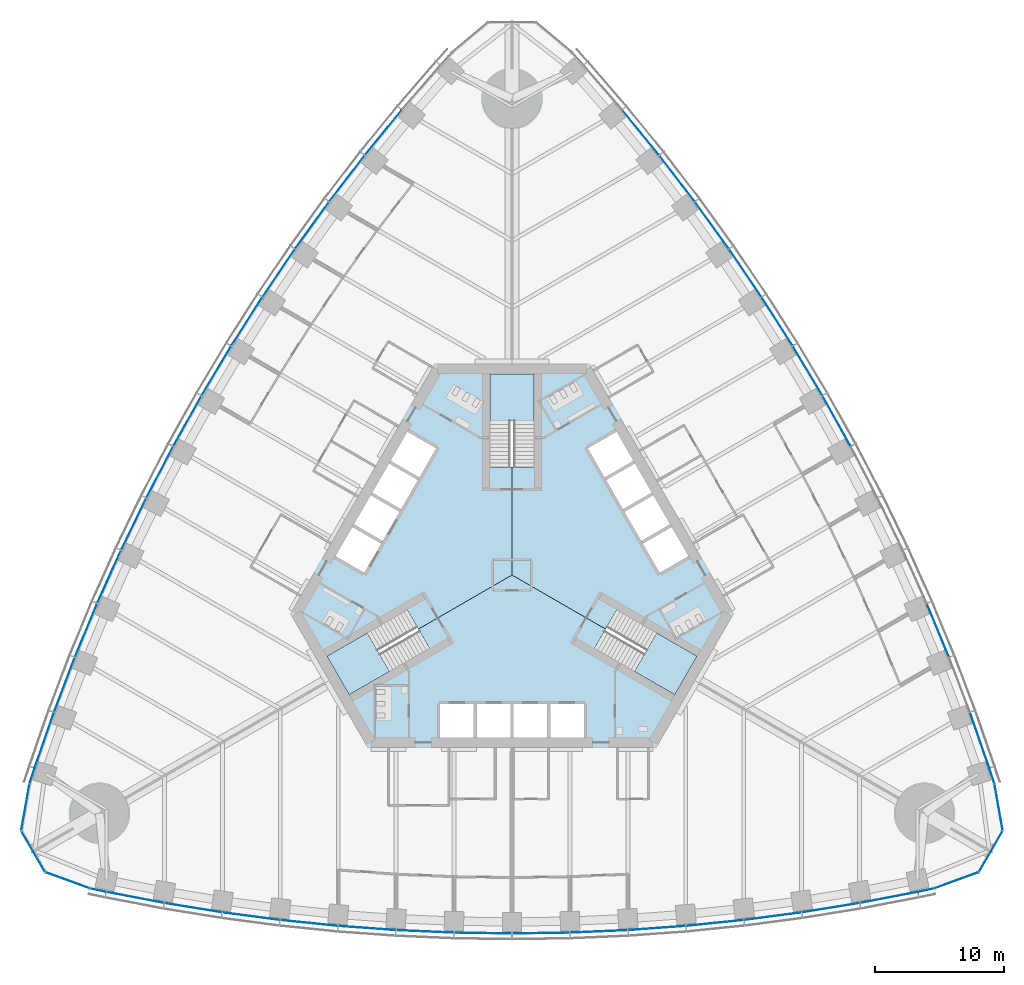
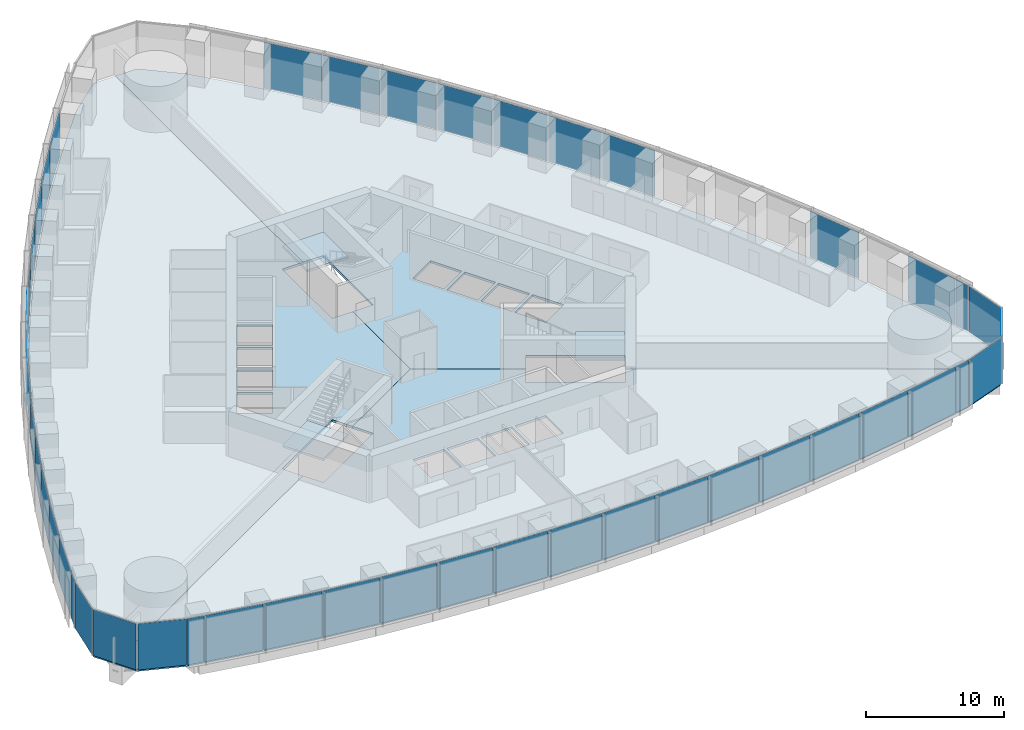
# One storey, part 8 of 18: 46 plates, 6 slabs, 8 elements without a shape of their own.
"""IFC4 building model written with IfcOpenShell, lengths in metres."""

from ifc_helpers import new_model, si_unit, direction, frame, origin, origin_2d, place, context, subcontext, project, spatial, polyline, rectangle, outline, extrude, material, layer, layer_set, type_object, element, aggregate, save


model = new_model("IFC4")

# Units and contexts
model_context = context("Model", 3, precision=1e-05, world=origin(), true_north=direction((0.0, 1.0)))
body_context = subcontext(model_context, "Body", "Model", "MODEL_VIEW")
ifc_project = project(units=[si_unit("LENGTHUNIT", "METRE"), si_unit("AREAUNIT", "SQUARE_METRE"), si_unit("VOLUMEUNIT", "CUBIC_METRE"), si_unit("PLANEANGLEUNIT", "RADIAN"), si_unit("MASSUNIT", "GRAM", prefix="KILO")], contexts=[model_context])

# Site, building, storey
site_placement = place(None, origin())
site = spatial("IfcSite", under=ifc_project, at=site_placement, CompositionType="ELEMENT")
building_placement = place(site_placement, origin())
building = spatial("IfcBuilding", under=site, at=building_placement, Name="Trefoil Bronze Tower", CompositionType="ELEMENT")
storey_placement = place(building_placement, frame((0.0, 0.0, 29.10009765625)))
storey = spatial("IfcBuildingStorey", under=building, at=storey_placement, Name="L06", CompositionType="ELEMENT", Elevation=29.10009765625)

# Curtain wall, plates
ifc_material_1 = material(Name="Tinted solar-control glass", Category="glass")
curtain_wall_type_1 = type_object("IfcCurtainWallType", Name="Bronze office curtain wall", PredefinedType="USERDEFINED", material=ifc_material_1)
curtain_wall_1_placement = place(storey_placement, origin())
curtain_wall_1 = element("IfcCurtainWall", 1, at=curtain_wall_1_placement, inside=storey, type_object=curtain_wall_type_1, Name="CW-A L06 F1", ObjectType="CURTAIN WALL", PredefinedType="USERDEFINED")
ifc_material_2 = material(Name="Tinted solar-control glass", Category="glass")
ifc_layer_1 = layer(ifc_material_2, 0.030029296875)
ifc_layer_set_1 = layer_set([ifc_layer_1], Name="Bronze office curtain wall glass panel")
plate_type_1 = type_object("IfcPlateType", Name="Bronze office curtain wall glass panel", PredefinedType="CURTAIN_PANEL", material=ifc_layer_set_1)
plate_1_placement = place(storey_placement, frame((-32.15185546875, -24.480224609375, -0.000244140625), z_axis=(0.0, 0.0, 1.0), x_axis=(0.978302717041, -0.207180582657, 0.0)))
plate_1 = element("IfcPlate", 2, at=plate_1_placement, type_object=plate_type_1, Name="CW-A L06 F1 panel 1", PredefinedType="CURTAIN_PANEL", context=body_context, shape_type="SweptSolid", body=[
    extrude(rectangle(XDim=1.21044921875, YDim=0.030029296875, at=origin_2d()), origin(), (0.0, 0.0, 1.0), 4.080078125),
])
plate_2_placement = place(storey_placement, frame((-29.268798828125, -25.04638671875, -0.000244140625), z_axis=(0.0, 0.0, 1.0), x_axis=(0.982049823817, -0.188621694249, 0.0)))
plate_2 = element("IfcPlate", 3, at=plate_2_placement, type_object=plate_type_1, Name="CW-A L06 F1 panel 2", PredefinedType="CURTAIN_PANEL", context=body_context, shape_type="SweptSolid", body=[
    extrude(rectangle(XDim=4.502197265625, YDim=0.030029296875, at=origin_2d()), origin(), (0.0, 0.0, 1.0), 4.080078125),
])
plate_3_placement = place(storey_placement, frame((-24.765869140625, -25.8427734375, -0.000244140625), z_axis=(0.0, 0.0, 1.0), x_axis=(0.987181315145, -0.159602791421, 0.0)))
plate_3 = element("IfcPlate", 4, at=plate_3_placement, type_object=plate_type_1, Name="CW-A L06 F1 panel 3", PredefinedType="CURTAIN_PANEL", context=body_context, shape_type="SweptSolid", body=[
    extrude(rectangle(XDim=4.478515625, YDim=0.030029296875, at=origin_2d()), origin(), (0.0, 0.0, 1.0), 4.080078125),
])
plate_4_placement = place(storey_placement, frame((-20.262939453125, -26.50341796875, -0.000244140625), z_axis=(0.0, 0.0, 1.0), x_axis=(0.991437251591, -0.130583981243, 0.0)))
plate_4 = element("IfcPlate", 5, at=plate_4_placement, type_object=plate_type_1, Name="CW-A L06 F1 panel 4", PredefinedType="CURTAIN_PANEL", context=body_context, shape_type="SweptSolid", body=[
    extrude(rectangle(XDim=4.458984375, YDim=0.030029296875, at=origin_2d()), origin(), (0.0, 0.0, 1.0), 4.080078125),
])
plate_5_placement = place(storey_placement, frame((-15.76025390625, -27.02978515625, -0.000244140625), z_axis=(0.0, 0.0, 1.0), x_axis=(0.994828880293, -0.101565244717, 0.0)))
plate_5 = element("IfcPlate", 6, at=plate_5_placement, type_object=plate_type_1, Name="CW-A L06 F1 panel 5", PredefinedType="CURTAIN_PANEL", context=body_context, shape_type="SweptSolid", body=[
    extrude(rectangle(XDim=4.443359375, YDim=0.030029296875, at=origin_2d()), origin(), (0.0, 0.0, 1.0), 4.080078125),
])
plate_6_placement = place(storey_placement, frame((-11.25732421875, -27.42333984375, -0.000244140625), z_axis=(0.0, 0.0, 1.0), x_axis=(0.99736502647, -0.072546564177, 0.0)))
plate_6 = element("IfcPlate", 7, at=plate_6_placement, type_object=plate_type_1, Name="CW-A L06 F1 panel 6", PredefinedType="CURTAIN_PANEL", context=body_context, shape_type="SweptSolid", body=[
    extrude(rectangle(XDim=4.431884765625, YDim=0.030029296875, at=origin_2d()), origin(), (0.0, 0.0, 1.0), 4.080078125),
])
plate_7_placement = place(storey_placement, frame((-6.75439453125, -27.685302734375, -0.000244140625), z_axis=(0.0, 0.0, 1.0), x_axis=(0.999052210809, -0.043527922969, 0.0)))
plate_7 = element("IfcPlate", 8, at=plate_7_placement, type_object=plate_type_1, Name="CW-A L06 F1 panel 7", PredefinedType="CURTAIN_PANEL", context=body_context, shape_type="SweptSolid", body=[
    extrude(rectangle(XDim=4.42431640625, YDim=0.030029296875, at=origin_2d()), origin(), (0.0, 0.0, 1.0), 4.080078125),
])
plate_8_placement = place(storey_placement, frame((-2.25146484375, -27.816162109375, -0.000244140625), z_axis=(0.0, 0.0, 1.0), x_axis=(0.999894734493, -0.014509305083, 0.0)))
plate_8 = element("IfcPlate", 9, at=plate_8_placement, type_object=plate_type_1, Name="CW-A L06 F1 panel 8", PredefinedType="CURTAIN_PANEL", context=body_context, shape_type="SweptSolid", body=[
    extrude(rectangle(XDim=4.42041015625, YDim=0.030029296875, at=origin_2d()), origin(), (0.0, 0.0, 1.0), 4.080078125),
])
plate_9_placement = place(storey_placement, frame((2.25146484375, -27.816162109375, -0.000244140625), z_axis=(0.0, 0.0, 1.0), x_axis=(0.999894734493, 0.014509305083, 0.0)))
plate_9 = element("IfcPlate", 10, at=plate_9_placement, type_object=plate_type_1, Name="CW-A L06 F1 panel 9", PredefinedType="CURTAIN_PANEL", context=body_context, shape_type="SweptSolid", body=[
    extrude(rectangle(XDim=4.42041015625, YDim=0.030029296875, at=origin_2d()), origin(), (0.0, 0.0, 1.0), 4.080078125),
])
plate_10_placement = place(storey_placement, frame((6.75439453125, -27.685302734375, -0.000244140625), z_axis=(0.0, 0.0, 1.0), x_axis=(0.999052210809, 0.043527922969, 0.0)))
plate_10 = element("IfcPlate", 11, at=plate_10_placement, type_object=plate_type_1, Name="CW-A L06 F1 panel 10", PredefinedType="CURTAIN_PANEL", context=body_context, shape_type="SweptSolid", body=[
    extrude(rectangle(XDim=4.42431640625, YDim=0.030029296875, at=origin_2d()), origin(), (0.0, 0.0, 1.0), 4.080078125),
])
plate_11_placement = place(storey_placement, frame((11.25732421875, -27.42333984375, -0.000244140625), z_axis=(0.0, 0.0, 1.0), x_axis=(0.99736502647, 0.072546564177, 0.0)))
plate_11 = element("IfcPlate", 12, at=plate_11_placement, type_object=plate_type_1, Name="CW-A L06 F1 panel 11", PredefinedType="CURTAIN_PANEL", context=body_context, shape_type="SweptSolid", body=[
    extrude(rectangle(XDim=4.431884765625, YDim=0.030029296875, at=origin_2d()), origin(), (0.0, 0.0, 1.0), 4.080078125),
])
plate_12_placement = place(storey_placement, frame((15.76025390625, -27.02978515625, -0.000244140625), z_axis=(0.0, 0.0, 1.0), x_axis=(0.994828880293, 0.101565244717, 0.0)))
plate_12 = element("IfcPlate", 13, at=plate_12_placement, type_object=plate_type_1, Name="CW-A L06 F1 panel 12", PredefinedType="CURTAIN_PANEL", context=body_context, shape_type="SweptSolid", body=[
    extrude(rectangle(XDim=4.443359375, YDim=0.030029296875, at=origin_2d()), origin(), (0.0, 0.0, 1.0), 4.080078125),
])
plate_13_placement = place(storey_placement, frame((20.262939453125, -26.50341796875, -0.000244140625), z_axis=(0.0, 0.0, 1.0), x_axis=(0.991437251591, 0.130583981243, 0.0)))
plate_13 = element("IfcPlate", 14, at=plate_13_placement, type_object=plate_type_1, Name="CW-A L06 F1 panel 13", PredefinedType="CURTAIN_PANEL", context=body_context, shape_type="SweptSolid", body=[
    extrude(rectangle(XDim=4.458984375, YDim=0.030029296875, at=origin_2d()), origin(), (0.0, 0.0, 1.0), 4.080078125),
])
plate_14_placement = place(storey_placement, frame((24.765869140625, -25.8427734375, -0.000244140625), z_axis=(0.0, 0.0, 1.0), x_axis=(0.987181315145, 0.159602791421, 0.0)))
plate_14 = element("IfcPlate", 15, at=plate_14_placement, type_object=plate_type_1, Name="CW-A L06 F1 panel 14", PredefinedType="CURTAIN_PANEL", context=body_context, shape_type="SweptSolid", body=[
    extrude(rectangle(XDim=4.478515625, YDim=0.030029296875, at=origin_2d()), origin(), (0.0, 0.0, 1.0), 4.080078125),
])
plate_15_placement = place(storey_placement, frame((29.268798828125, -25.04638671875, -0.000244140625), z_axis=(0.0, 0.0, 1.0), x_axis=(0.982049823817, 0.188621694249, 0.0)))
plate_15 = element("IfcPlate", 16, at=plate_15_placement, type_object=plate_type_1, Name="CW-A L06 F1 panel 15", PredefinedType="CURTAIN_PANEL", context=body_context, shape_type="SweptSolid", body=[
    extrude(rectangle(XDim=4.502197265625, YDim=0.030029296875, at=origin_2d()), origin(), (0.0, 0.0, 1.0), 4.080078125),
])
plate_16_placement = place(storey_placement, frame((32.15185546875, -24.480224609375, -0.000244140625), z_axis=(0.0, 0.0, 1.0), x_axis=(0.978302717041, 0.207180582657, 0.0)))
plate_16 = element("IfcPlate", 17, at=plate_16_placement, type_object=plate_type_1, Name="CW-A L06 F1 panel 16", PredefinedType="CURTAIN_PANEL", context=body_context, shape_type="SweptSolid", body=[
    extrude(rectangle(XDim=1.21044921875, YDim=0.030029296875, at=origin_2d()), origin(), (0.0, 0.0, 1.0), 4.080078125),
])
aggregate(curtain_wall_1, [plate_1, plate_2, plate_3, plate_4, plate_5, plate_6, plate_7, plate_8, plate_9, plate_10, plate_11, plate_12, plate_13, plate_14, plate_15, plate_16])

curtain_wall_2_placement = place(storey_placement, origin())
curtain_wall_2 = element("IfcCurtainWall", 18, at=curtain_wall_2_placement, inside=storey, type_object=curtain_wall_type_1, Name="CW-A L06 F2", ObjectType="CURTAIN WALL", PredefinedType="USERDEFINED")
plate_17_placement = place(storey_placement, frame((37.2763671875, -15.604248046875, -0.000244140625), z_axis=(0.0, 0.0, 1.0), x_axis=(-0.309727710769, 0.950825296877, 0.0)))
plate_17 = element("IfcPlate", 19, at=plate_17_placement, type_object=plate_type_1, Name="CW-A L06 F2 panel 1", PredefinedType="CURTAIN_PANEL", context=body_context, shape_type="SweptSolid", body=[
    extrude(rectangle(XDim=1.21044921875, YDim=0.030029296875, at=origin_2d()), origin(), (0.0, 0.0, 1.0), 4.080078125),
])
plate_18_placement = place(storey_placement, frame((36.3251953125, -12.824462890625, -0.000244140625), z_axis=(0.0, 0.0, 1.0), x_axis=(-0.327673732984, 0.944790942332, 0.0)))
plate_18 = element("IfcPlate", 20, at=plate_18_placement, type_object=plate_type_1, Name="CW-A L06 F2 panel 2", PredefinedType="CURTAIN_PANEL", context=body_context, shape_type="SweptSolid", body=[
    extrude(rectangle(XDim=4.502197265625, YDim=0.030029296875, at=origin_2d()), origin(), (0.0, 0.0, 1.0), 4.080078125),
])
plate_19_placement = place(storey_placement, frame((33.084228515625, -4.296630859375, -0.000244140625), z_axis=(0.0, 0.0, 1.0), x_axis=(-0.382629580712, 0.923901836758, 0.0)))
plate_19 = element("IfcPlate", 21, at=plate_19_placement, type_object=plate_type_1, Name="CW-A L06 F2 panel 4", PredefinedType="CURTAIN_PANEL", context=body_context, shape_type="SweptSolid", body=[
    extrude(rectangle(XDim=4.458984375, YDim=0.030029296875, at=origin_2d()), origin(), (0.0, 0.0, 1.0), 4.080078125),
])
plate_20_placement = place(storey_placement, frame((25.215087890625, 11.958251953125, -0.000244140625), z_axis=(0.0, 0.0, 1.0), x_axis=(-0.487381940453, 0.873188893722, 0.0)))
plate_20 = element("IfcPlate", 22, at=plate_20_placement, type_object=plate_type_1, Name="CW-A L06 F2 panel 8", PredefinedType="CURTAIN_PANEL", context=body_context, shape_type="SweptSolid", body=[
    extrude(rectangle(XDim=4.42041015625, YDim=0.030029296875, at=origin_2d()), origin(), (0.0, 0.0, 1.0), 4.080078125),
])
plate_21_placement = place(storey_placement, frame((22.963623046875, 15.85791015625, -0.000244140625), z_axis=(0.0, 0.0, 1.0), x_axis=(-0.51251279404, 0.858679588639, 0.0)))
plate_21 = element("IfcPlate", 23, at=plate_21_placement, type_object=plate_type_1, Name="CW-A L06 F2 panel 9", PredefinedType="CURTAIN_PANEL", context=body_context, shape_type="SweptSolid", body=[
    extrude(rectangle(XDim=4.42041015625, YDim=0.030029296875, at=origin_2d()), origin(), (0.0, 0.0, 1.0), 4.080078125),
])
plate_22_placement = place(storey_placement, frame((20.598876953125, 19.692138671875, -0.000244140625), z_axis=(0.0, 0.0, 1.0), x_axis=(-0.537222392469, 0.843440632783, 0.0)))
plate_22 = element("IfcPlate", 24, at=plate_22_placement, type_object=plate_type_1, Name="CW-A L06 F2 panel 10", PredefinedType="CURTAIN_PANEL", context=body_context, shape_type="SweptSolid", body=[
    extrude(rectangle(XDim=4.42431640625, YDim=0.030029296875, at=origin_2d()), origin(), (0.0, 0.0, 1.0), 4.080078125),
])
plate_23_placement = place(storey_placement, frame((18.120849609375, 23.460693359375, -0.000244140625), z_axis=(0.0, 0.0, 1.0), x_axis=(-0.56150968077, 0.827470167681, 0.0)))
plate_23 = element("IfcPlate", 25, at=plate_23_placement, type_object=plate_type_1, Name="CW-A L06 F2 panel 11", PredefinedType="CURTAIN_PANEL", context=body_context, shape_type="SweptSolid", body=[
    extrude(rectangle(XDim=4.431884765625, YDim=0.030029296875, at=origin_2d()), origin(), (0.0, 0.0, 1.0), 4.080078125),
])
plate_24_placement = place(storey_placement, frame((15.5283203125, 27.16357421875, -0.000244140625), z_axis=(0.0, 0.0, 1.0), x_axis=(-0.585372522213, 0.810764460394, 0.0)))
plate_24 = element("IfcPlate", 26, at=plate_24_placement, type_object=plate_type_1, Name="CW-A L06 F2 panel 12", PredefinedType="CURTAIN_PANEL", context=body_context, shape_type="SweptSolid", body=[
    extrude(rectangle(XDim=4.443359375, YDim=0.030029296875, at=origin_2d()), origin(), (0.0, 0.0, 1.0), 4.080078125),
])
plate_25_placement = place(storey_placement, frame((12.821044921875, 30.800048828125, -0.000244140625), z_axis=(0.0, 0.0, 1.0), x_axis=(-0.608807670879, 0.793317855515, 0.0)))
plate_25 = element("IfcPlate", 27, at=plate_25_placement, type_object=plate_type_1, Name="CW-A L06 F2 panel 13", PredefinedType="CURTAIN_PANEL", context=body_context, shape_type="SweptSolid", body=[
    extrude(rectangle(XDim=4.458984375, YDim=0.030029296875, at=origin_2d()), origin(), (0.0, 0.0, 1.0), 4.080078125),
])
plate_26_placement = place(storey_placement, frame((9.99755859375, 34.369384765625, -0.000244140625), z_axis=(0.0, 0.0, 1.0), x_axis=(-0.631810729457, 0.775122701346, 0.0)))
plate_26 = element("IfcPlate", 28, at=plate_26_placement, type_object=plate_type_1, Name="CW-A L06 F2 panel 14", PredefinedType="CURTAIN_PANEL", context=body_context, shape_type="SweptSolid", body=[
    extrude(rectangle(XDim=4.478515625, YDim=0.030029296875, at=origin_2d()), origin(), (0.0, 0.0, 1.0), 4.080078125),
])
aggregate(curtain_wall_2, [plate_17, plate_18, plate_19, plate_20, plate_21, plate_22, plate_23, plate_24, plate_25, plate_26])

curtain_wall_3_placement = place(storey_placement, origin())
curtain_wall_3 = element("IfcCurtainWall", 29, at=curtain_wall_3_placement, inside=storey, type_object=curtain_wall_type_1, Name="CW-A L06 F3", ObjectType="CURTAIN WALL", PredefinedType="USERDEFINED")
plate_27_placement = place(storey_placement, frame((-9.99755859375, 34.369384765625, -0.000244140625), z_axis=(0.0, 0.0, 1.0), x_axis=(-0.631810729457, -0.775122701346, 0.0)))
plate_27 = element("IfcPlate", 30, at=plate_27_placement, type_object=plate_type_1, Name="CW-A L06 F3 panel 3", PredefinedType="CURTAIN_PANEL", context=body_context, shape_type="SweptSolid", body=[
    extrude(rectangle(XDim=4.478515625, YDim=0.030029296875, at=origin_2d()), origin(), (0.0, 0.0, 1.0), 4.080078125),
])
plate_28_placement = place(storey_placement, frame((-12.821044921875, 30.800048828125, -0.000244140625), z_axis=(0.0, 0.0, 1.0), x_axis=(-0.608807670879, -0.793317855515, 0.0)))
plate_28 = element("IfcPlate", 31, at=plate_28_placement, type_object=plate_type_1, Name="CW-A L06 F3 panel 4", PredefinedType="CURTAIN_PANEL", context=body_context, shape_type="SweptSolid", body=[
    extrude(rectangle(XDim=4.458984375, YDim=0.030029296875, at=origin_2d()), origin(), (0.0, 0.0, 1.0), 4.080078125),
])
plate_29_placement = place(storey_placement, frame((-15.5283203125, 27.16357421875, -0.000244140625), z_axis=(0.0, 0.0, 1.0), x_axis=(-0.585372522213, -0.810764460394, 0.0)))
plate_29 = element("IfcPlate", 32, at=plate_29_placement, type_object=plate_type_1, Name="CW-A L06 F3 panel 5", PredefinedType="CURTAIN_PANEL", context=body_context, shape_type="SweptSolid", body=[
    extrude(rectangle(XDim=4.443359375, YDim=0.030029296875, at=origin_2d()), origin(), (0.0, 0.0, 1.0), 4.080078125),
])
plate_30_placement = place(storey_placement, frame((-18.120849609375, 23.460693359375, -0.000244140625), z_axis=(0.0, 0.0, 1.0), x_axis=(-0.56150968077, -0.827470167681, 0.0)))
plate_30 = element("IfcPlate", 33, at=plate_30_placement, type_object=plate_type_1, Name="CW-A L06 F3 panel 6", PredefinedType="CURTAIN_PANEL", context=body_context, shape_type="SweptSolid", body=[
    extrude(rectangle(XDim=4.431884765625, YDim=0.030029296875, at=origin_2d()), origin(), (0.0, 0.0, 1.0), 4.080078125),
])
plate_31_placement = place(storey_placement, frame((-20.598876953125, 19.692138671875, -0.000244140625), z_axis=(0.0, 0.0, 1.0), x_axis=(-0.537222392469, -0.843440632783, 0.0)))
plate_31 = element("IfcPlate", 34, at=plate_31_placement, type_object=plate_type_1, Name="CW-A L06 F3 panel 7", PredefinedType="CURTAIN_PANEL", context=body_context, shape_type="SweptSolid", body=[
    extrude(rectangle(XDim=4.42431640625, YDim=0.030029296875, at=origin_2d()), origin(), (0.0, 0.0, 1.0), 4.080078125),
])
plate_32_placement = place(storey_placement, frame((-22.963623046875, 15.85791015625, -0.000244140625), z_axis=(0.0, 0.0, 1.0), x_axis=(-0.51251279404, -0.858679588639, 0.0)))
plate_32 = element("IfcPlate", 35, at=plate_32_placement, type_object=plate_type_1, Name="CW-A L06 F3 panel 8", PredefinedType="CURTAIN_PANEL", context=body_context, shape_type="SweptSolid", body=[
    extrude(rectangle(XDim=4.42041015625, YDim=0.030029296875, at=origin_2d()), origin(), (0.0, 0.0, 1.0), 4.080078125),
])
plate_33_placement = place(storey_placement, frame((-25.215087890625, 11.958251953125, -0.000244140625), z_axis=(0.0, 0.0, 1.0), x_axis=(-0.487381940453, -0.873188893722, 0.0)))
plate_33 = element("IfcPlate", 36, at=plate_33_placement, type_object=plate_type_1, Name="CW-A L06 F3 panel 9", PredefinedType="CURTAIN_PANEL", context=body_context, shape_type="SweptSolid", body=[
    extrude(rectangle(XDim=4.42041015625, YDim=0.030029296875, at=origin_2d()), origin(), (0.0, 0.0, 1.0), 4.080078125),
])
plate_34_placement = place(storey_placement, frame((-27.353271484375, 7.9931640625, -0.000244140625), z_axis=(0.0, 0.0, 1.0), x_axis=(-0.46182981834, -0.886968555752, 0.0)))
plate_34 = element("IfcPlate", 37, at=plate_34_placement, type_object=plate_type_1, Name="CW-A L06 F3 panel 10", PredefinedType="CURTAIN_PANEL", context=body_context, shape_type="SweptSolid", body=[
    extrude(rectangle(XDim=4.42431640625, YDim=0.030029296875, at=origin_2d()), origin(), (0.0, 0.0, 1.0), 4.080078125),
])
plate_35_placement = place(storey_placement, frame((-29.3779296875, 3.962646484375, -0.000244140625), z_axis=(0.0, 0.0, 1.0), x_axis=(-0.4358553457, -0.900016731858, 0.0)))
plate_35 = element("IfcPlate", 38, at=plate_35_placement, type_object=plate_type_1, Name="CW-A L06 F3 panel 11", PredefinedType="CURTAIN_PANEL", context=body_context, shape_type="SweptSolid", body=[
    extrude(rectangle(XDim=4.431884765625, YDim=0.030029296875, at=origin_2d()), origin(), (0.0, 0.0, 1.0), 4.080078125),
])
plate_36_placement = place(storey_placement, frame((-31.28857421875, -0.1337890625, -0.000244140625), z_axis=(0.0, 0.0, 1.0), x_axis=(-0.40945635808, -0.912329705111, 0.0)))
plate_36 = element("IfcPlate", 39, at=plate_36_placement, type_object=plate_type_1, Name="CW-A L06 F3 panel 12", PredefinedType="CURTAIN_PANEL", context=body_context, shape_type="SweptSolid", body=[
    extrude(rectangle(XDim=4.443359375, YDim=0.030029296875, at=origin_2d()), origin(), (0.0, 0.0, 1.0), 4.080078125),
])
plate_37_placement = place(storey_placement, frame((-33.084228515625, -4.296630859375, -0.000244140625), z_axis=(0.0, 0.0, 1.0), x_axis=(-0.382629580712, -0.923901836758, 0.0)))
plate_37 = element("IfcPlate", 40, at=plate_37_placement, type_object=plate_type_1, Name="CW-A L06 F3 panel 13", PredefinedType="CURTAIN_PANEL", context=body_context, shape_type="SweptSolid", body=[
    extrude(rectangle(XDim=4.458984375, YDim=0.030029296875, at=origin_2d()), origin(), (0.0, 0.0, 1.0), 4.080078125),
])
plate_38_placement = place(storey_placement, frame((-34.763427734375, -8.526611328125, -0.000244140625), z_axis=(0.0, 0.0, 1.0), x_axis=(-0.355370585687, -0.934725492767, 0.0)))
plate_38 = element("IfcPlate", 41, at=plate_38_placement, type_object=plate_type_1, Name="CW-A L06 F3 panel 14", PredefinedType="CURTAIN_PANEL", context=body_context, shape_type="SweptSolid", body=[
    extrude(rectangle(XDim=4.478515625, YDim=0.030029296875, at=origin_2d()), origin(), (0.0, 0.0, 1.0), 4.080078125),
])
plate_39_placement = place(storey_placement, frame((-36.3251953125, -12.824462890625, -0.000244140625), z_axis=(0.0, 0.0, 1.0), x_axis=(-0.327673732984, -0.944790942332, 0.0)))
plate_39 = element("IfcPlate", 42, at=plate_39_placement, type_object=plate_type_1, Name="CW-A L06 F3 panel 15", PredefinedType="CURTAIN_PANEL", context=body_context, shape_type="SweptSolid", body=[
    extrude(rectangle(XDim=4.502197265625, YDim=0.030029296875, at=origin_2d()), origin(), (0.0, 0.0, 1.0), 4.080078125),
])
plate_40_placement = place(storey_placement, frame((-37.2763671875, -15.604248046875, -0.000244140625), z_axis=(0.0, 0.0, 1.0), x_axis=(-0.309727710769, -0.950825296877, 0.0)))
plate_40 = element("IfcPlate", 43, at=plate_40_placement, type_object=plate_type_1, Name="CW-A L06 F3 panel 16", PredefinedType="CURTAIN_PANEL", context=body_context, shape_type="SweptSolid", body=[
    extrude(rectangle(XDim=1.21044921875, YDim=0.030029296875, at=origin_2d()), origin(), (0.0, 0.0, 1.0), 4.080078125),
])
aggregate(curtain_wall_3, [plate_27, plate_28, plate_29, plate_30, plate_31, plate_32, plate_33, plate_34, plate_35, plate_36, plate_37, plate_38, plate_39, plate_40])

ifc_material_3 = material(Name="Tinted solar-control glass", Category="glass")
curtain_wall_type_2 = type_object("IfcCurtainWallType", Name="Bronze rounded corner curtain wall", PredefinedType="USERDEFINED", material=ifc_material_3)
curtain_wall_4_placement = place(storey_placement, origin())
curtain_wall_4 = element("IfcCurtainWall", 44, at=curtain_wall_4_placement, inside=storey, type_object=curtain_wall_type_2, Name="CW-B L06 K1", ObjectType="CURTAIN WALL", PredefinedType="USERDEFINED")
ifc_material_4 = material(Name="Tinted solar-control glass", Category="glass")
ifc_layer_2 = layer(ifc_material_4, 0.030029296875)
ifc_layer_set_2 = layer_set([ifc_layer_2], Name="Bronze rounded corner curtain wall glass panel")
plate_type_2 = type_object("IfcPlateType", Name="Bronze rounded corner curtain wall glass panel", PredefinedType="CURTAIN_PANEL", material=ifc_layer_set_2)
plate_41_placement = place(storey_placement, frame((34.5107421875, -23.71875, -0.000244140625), z_axis=(0.0, 0.0, 1.0), x_axis=(0.939692620786, 0.342020143326, 0.0)))
plate_41 = element("IfcPlate", 45, at=plate_41_placement, type_object=plate_type_2, Name="CW-B L06 K1 panel 1", PredefinedType="CURTAIN_PANEL", context=body_context, shape_type="SweptSolid", body=[
    extrude(rectangle(XDim=3.588134765625, YDim=0.030029296875, at=origin_2d()), origin(), (0.0, 0.0, 1.0), 4.080078125),
])
plate_42_placement = place(storey_placement, frame((37.189208984375, -21.47119140625, -0.000244140625), z_axis=(0.0, 0.0, 1.0), x_axis=(0.5, 0.866025403784, 0.0)))
plate_42 = element("IfcPlate", 46, at=plate_42_placement, type_object=plate_type_2, Name="CW-B L06 K1 panel 2", PredefinedType="CURTAIN_PANEL", context=body_context, shape_type="SweptSolid", body=[
    extrude(rectangle(XDim=3.588134765625, YDim=0.030029296875, at=origin_2d()), origin(), (0.0, 0.0, 1.0), 4.080078125),
])
plate_43_placement = place(storey_placement, frame((37.79638671875, -18.02783203125, -0.000244140625), z_axis=(0.0, 0.0, 1.0), x_axis=(-0.173648177667, 0.984807753012, 0.0)))
plate_43 = element("IfcPlate", 47, at=plate_43_placement, type_object=plate_type_2, Name="CW-B L06 K1 panel 3", PredefinedType="CURTAIN_PANEL", context=body_context, shape_type="SweptSolid", body=[
    extrude(rectangle(XDim=3.588134765625, YDim=0.030029296875, at=origin_2d()), origin(), (0.0, 0.0, 1.0), 4.080078125),
])
aggregate(curtain_wall_4, [plate_41, plate_42, plate_43])

curtain_wall_5_placement = place(storey_placement, origin())
curtain_wall_5 = element("IfcCurtainWall", 48, at=curtain_wall_5_placement, inside=storey, type_object=curtain_wall_type_2, Name="CW-B L06 K3", ObjectType="CURTAIN WALL", PredefinedType="USERDEFINED")
plate_44_placement = place(storey_placement, frame((-37.79638671875, -18.02783203125, -0.000244140625), z_axis=(0.0, 0.0, 1.0), x_axis=(-0.173648177667, -0.984807753012, 0.0)))
plate_44 = element("IfcPlate", 49, at=plate_44_placement, type_object=plate_type_2, Name="CW-B L06 K3 panel 1", PredefinedType="CURTAIN_PANEL", context=body_context, shape_type="SweptSolid", body=[
    extrude(rectangle(XDim=3.588134765625, YDim=0.030029296875, at=origin_2d()), origin(), (0.0, 0.0, 1.0), 4.080078125),
])
plate_45_placement = place(storey_placement, frame((-37.189208984375, -21.47119140625, -0.000244140625), z_axis=(0.0, 0.0, 1.0), x_axis=(0.5, -0.866025403784, 0.0)))
plate_45 = element("IfcPlate", 50, at=plate_45_placement, type_object=plate_type_2, Name="CW-B L06 K3 panel 2", PredefinedType="CURTAIN_PANEL", context=body_context, shape_type="SweptSolid", body=[
    extrude(rectangle(XDim=3.588134765625, YDim=0.030029296875, at=origin_2d()), origin(), (0.0, 0.0, 1.0), 4.080078125),
])
plate_46_placement = place(storey_placement, frame((-34.5107421875, -23.71875, -0.000244140625), z_axis=(0.0, 0.0, 1.0), x_axis=(0.939692620786, -0.342020143326, 0.0)))
plate_46 = element("IfcPlate", 51, at=plate_46_placement, type_object=plate_type_2, Name="CW-B L06 K3 panel 3", PredefinedType="CURTAIN_PANEL", context=body_context, shape_type="SweptSolid", body=[
    extrude(rectangle(XDim=3.588134765625, YDim=0.030029296875, at=origin_2d()), origin(), (0.0, 0.0, 1.0), 4.080078125),
])
aggregate(curtain_wall_5, [plate_44, plate_45, plate_46])

# Slabs
ifc_material_5 = material(Name="Concrete B30", Category="concrete")
ifc_layer_3 = layer(ifc_material_5, 0.199951171875)
ifc_layer_set_3 = layer_set([ifc_layer_3], Name="Floor slab 200")
slab_type_1 = type_object("IfcSlabType", Name="Floor slab 200", PredefinedType="FLOOR", material=ifc_layer_set_3)
slab_1_placement = place(storey_placement, frame((0.0, 0.0, -0.2001953125)))
element("IfcSlab", 52, at=slab_1_placement, inside=storey, type_object=slab_type_1, Name="Floor slab L06 face 1", PredefinedType="FLOOR", context=body_context, shape_type="SweptSolid", body=[
    extrude(outline(polyline([(27.0, -25.38037109375), (22.5, -26.10791015625), (18.0, -26.70068359375), (13.5, -27.159912109375), (9.0, -27.4873046875), (4.5, -27.683349609375), (0.0, -27.748779296875), (-4.5, -27.683349609375), (-9.0, -27.4873046875), (-13.5, -27.159912109375), (-18.0, -26.70068359375), (-22.5, -26.10791015625), (-27.0, -25.38037109375), (-31.5, -24.51611328125), (-32.762451171875, -24.248779296875), (-36.190673828125, -23.0009765625), (-37.1025390625, -21.421142578125), (-13.510009765625, -7.800048828125), (-12.6474609375, -9.2939453125), (-6.412109375, -5.69384765625), (-7.274658203125, -4.199951171875), (0.0, 0.0), (7.274658203125, -4.199951171875), (6.412109375, -5.69384765625), (12.6474609375, -9.2939453125), (13.510009765625, -7.800048828125), (37.1025390625, -21.421142578125), (36.190673828125, -23.0009765625), (32.762451171875, -24.248779296875), (31.5, -24.51611328125), (27.0, -25.38037109375)]), holes=[polyline([(-5.574951171875, -10.02490234375), (-2.97509765625, -10.02490234375), (-2.97509765625, -12.60009765625), (-5.574951171875, -12.60009765625), (-5.574951171875, -10.02490234375)]), polyline([(-2.72509765625, -10.02490234375), (-0.125, -10.02490234375), (-0.125, -12.60009765625), (-2.72509765625, -12.60009765625), (-2.72509765625, -10.02490234375)]), polyline([(0.125, -10.02490234375), (2.72509765625, -10.02490234375), (2.72509765625, -12.60009765625), (0.125, -12.60009765625), (0.125, -10.02490234375)]), polyline([(2.97509765625, -10.02490234375), (5.574951171875, -10.02490234375), (5.574951171875, -12.60009765625), (2.97509765625, -12.60009765625), (2.97509765625, -10.02490234375)])]), origin(), (0.0, 0.0, 1.0), 0.2001953125),
])
slab_2_placement = place(storey_placement, frame((0.0, 0.0, -0.2001953125)))
element("IfcSlab", 53, at=slab_2_placement, inside=storey, type_object=slab_type_1, Name="Floor slab L06 face 2", PredefinedType="FLOOR", context=body_context, shape_type="SweptSolid", body=[
    extrude(outline(polyline([(8.47998046875, 36.07275390625), (11.360107421875, 32.53955078125), (14.123291015625, 28.938720703125), (16.771240234375, 25.271240234375), (19.3046875, 21.537841796875), (21.724609375, 17.73876953125), (24.031005859375, 13.874267578125), (26.224609375, 9.944580078125), (28.3046875, 5.949462890625), (30.271240234375, 1.888671875), (32.123291015625, -2.238037109375), (33.860107421875, -6.431640625), (35.47998046875, -10.6923828125), (36.9814453125, -15.021728515625), (37.381103515625, -16.248779296875), (38.0146484375, -19.841552734375), (37.1025390625, -21.421142578125), (13.510009765625, -7.800048828125), (14.37255859375, -6.30615234375), (8.13720703125, -2.7060546875), (7.274658203125, -4.199951171875), (0.0, 0.0), (0.0, 8.39990234375), (1.72509765625, 8.39990234375), (1.72509765625, 15.60009765625), (0.0, 15.60009765625), (0.0, 42.842529296875), (1.82421875, 42.842529296875), (4.618896484375, 40.497314453125), (5.4814453125, 39.537841796875), (8.47998046875, 36.07275390625)]), holes=[polyline([(11.469482421875, 0.184326171875), (10.16943359375, 2.43603515625), (12.3994140625, 3.7236328125), (13.699462890625, 1.471923828125), (11.469482421875, 0.184326171875)]), polyline([(10.04443359375, 2.652587890625), (8.744384765625, 4.904296875), (10.974365234375, 6.191650390625), (12.2744140625, 3.940185546875), (10.04443359375, 2.652587890625)]), polyline([(8.619384765625, 5.120849609375), (7.3193359375, 7.372314453125), (9.54931640625, 8.659912109375), (10.849365234375, 6.408203125), (8.619384765625, 5.120849609375)]), polyline([(7.1943359375, 7.5888671875), (5.894287109375, 9.840576171875), (8.12451171875, 11.128173828125), (9.42431640625, 8.87646484375), (7.1943359375, 7.5888671875)])]), origin(), (0.0, 0.0, 1.0), 0.2001953125),
])
slab_3_placement = place(storey_placement, frame((0.0, 0.0, -0.2001953125)))
element("IfcSlab", 54, at=slab_3_placement, inside=storey, type_object=slab_type_1, Name="Floor slab L06 face 3", PredefinedType="FLOOR", context=body_context, shape_type="SweptSolid", body=[
    extrude(outline(polyline([(-35.47998046875, -10.6923828125), (-33.860107421875, -6.431640625), (-32.123291015625, -2.238037109375), (-30.271240234375, 1.888671875), (-28.3046875, 5.949462890625), (-26.224609375, 9.944580078125), (-24.031005859375, 13.874267578125), (-21.724609375, 17.73876953125), (-19.3046875, 21.537841796875), (-16.771240234375, 25.271240234375), (-14.123291015625, 28.938720703125), (-11.360107421875, 32.53955078125), (-8.47998046875, 36.07275390625), (-5.4814453125, 39.537841796875), (-4.618896484375, 40.497314453125), (-1.82421875, 42.842529296875), (0.0, 42.842529296875), (0.0, 15.60009765625), (-1.72509765625, 15.60009765625), (-1.72509765625, 8.39990234375), (0.0, 8.39990234375), (0.0, 0.0), (-7.274658203125, -4.199951171875), (-8.13720703125, -2.7060546875), (-14.37255859375, -6.30615234375), (-13.510009765625, -7.800048828125), (-37.1025390625, -21.421142578125), (-38.0146484375, -19.841552734375), (-37.381103515625, -16.248779296875), (-36.9814453125, -15.021728515625), (-35.47998046875, -10.6923828125)]), holes=[polyline([(-5.894287109375, 9.840576171875), (-7.1943359375, 7.5888671875), (-9.42431640625, 8.87646484375), (-8.12451171875, 11.128173828125), (-5.894287109375, 9.840576171875)]), polyline([(-7.3193359375, 7.372314453125), (-8.619384765625, 5.120849609375), (-10.849365234375, 6.408203125), (-9.54931640625, 8.659912109375), (-7.3193359375, 7.372314453125)]), polyline([(-8.744384765625, 4.904296875), (-10.04443359375, 2.652587890625), (-12.2744140625, 3.940185546875), (-10.974365234375, 6.191650390625), (-8.744384765625, 4.904296875)]), polyline([(-10.16943359375, 2.43603515625), (-11.469482421875, 0.184326171875), (-13.699462890625, 1.471923828125), (-12.3994140625, 3.7236328125), (-10.16943359375, 2.43603515625)])]), origin(), (0.0, 0.0, 1.0), 0.2001953125),
])

# Stair, slab
ifc_material_6 = material(Name="Precast concrete B80", Category="concrete")
stair_type = type_object("IfcStairType", Name="Exit stair 26 risers", PredefinedType="HALF_TURN_STAIR", material=ifc_material_6)
stair_1_placement = place(storey_placement, origin())
stair_1 = element("IfcStair", 55, at=stair_1_placement, inside=storey, type_object=stair_type, Name="Stair ST1 L06", PredefinedType="HALF_TURN_STAIR")
ifc_material_7 = material(Name="Concrete B30", Category="concrete")
ifc_layer_4 = layer(ifc_material_7, 0.199951171875)
ifc_layer_set_4 = layer_set([ifc_layer_4], Name="Stair landing 200")
slab_type_2 = type_object("IfcSlabType", Name="Stair landing 200", PredefinedType="LANDING", material=ifc_layer_set_4)
slab_4_placement = place(storey_placement, frame((0.0, 0.0, 1.89990234375)))
slab_4 = element("IfcSlab", 56, at=slab_4_placement, type_object=slab_type_2, Name="ST1 landing 1", PredefinedType="LANDING", context=body_context, shape_type="SweptSolid", body=[
    extrude(outline(polyline([(9.512451171875, -7.48388671875), (12.6474609375, -9.2939453125), (14.37255859375, -6.30615234375), (11.237548828125, -4.49609375), (9.512451171875, -7.48388671875)])), origin(), (0.0, 0.0, 1.0), 0.199951171875),
])
aggregate(stair_1, [slab_4])

stair_2_placement = place(storey_placement, origin())
stair_2 = element("IfcStair", 57, at=stair_2_placement, inside=storey, type_object=stair_type, Name="Stair ST2 L06", PredefinedType="HALF_TURN_STAIR")
slab_5_placement = place(storey_placement, frame((0.0, 0.0, 1.89990234375)))
slab_5 = element("IfcSlab", 58, at=slab_5_placement, type_object=slab_type_2, Name="ST2 landing 1", PredefinedType="LANDING", context=body_context, shape_type="SweptSolid", body=[
    extrude(outline(polyline([(1.72509765625, 11.97998046875), (1.72509765625, 15.60009765625), (-1.72509765625, 15.60009765625), (-1.72509765625, 11.97998046875), (1.72509765625, 11.97998046875)])), origin(), (0.0, 0.0, 1.0), 0.199951171875),
])
aggregate(stair_2, [slab_5])

stair_3_placement = place(storey_placement, origin())
stair_3 = element("IfcStair", 59, at=stair_3_placement, inside=storey, type_object=stair_type, Name="Stair ST3 L06", PredefinedType="HALF_TURN_STAIR")
slab_6_placement = place(storey_placement, frame((0.0, 0.0, 1.89990234375)))
slab_6 = element("IfcSlab", 60, at=slab_6_placement, type_object=slab_type_2, Name="ST3 landing 1", PredefinedType="LANDING", context=body_context, shape_type="SweptSolid", body=[
    extrude(outline(polyline([(-11.237548828125, -4.49609375), (-14.37255859375, -6.30615234375), (-12.6474609375, -9.2939453125), (-9.512451171875, -7.48388671875), (-11.237548828125, -4.49609375)])), origin(), (0.0, 0.0, 1.0), 0.199951171875),
])
aggregate(stair_3, [slab_6])

save(model, "model.ifc")
